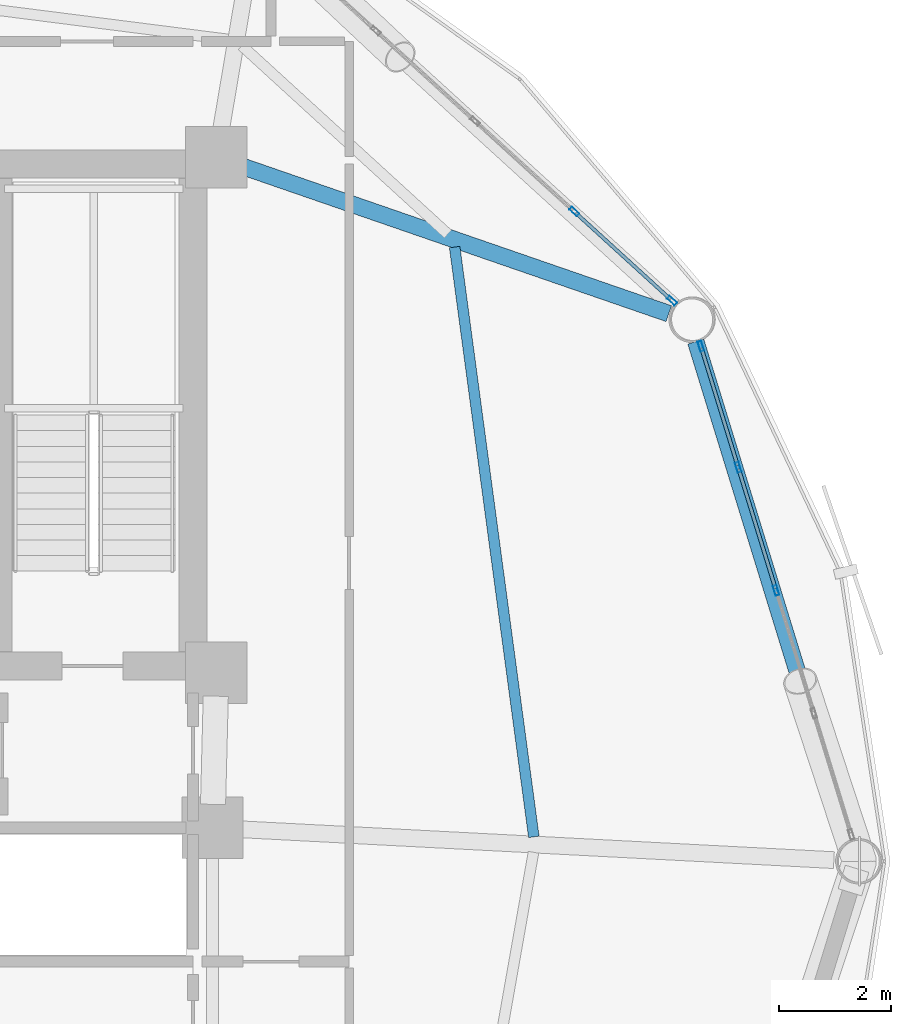
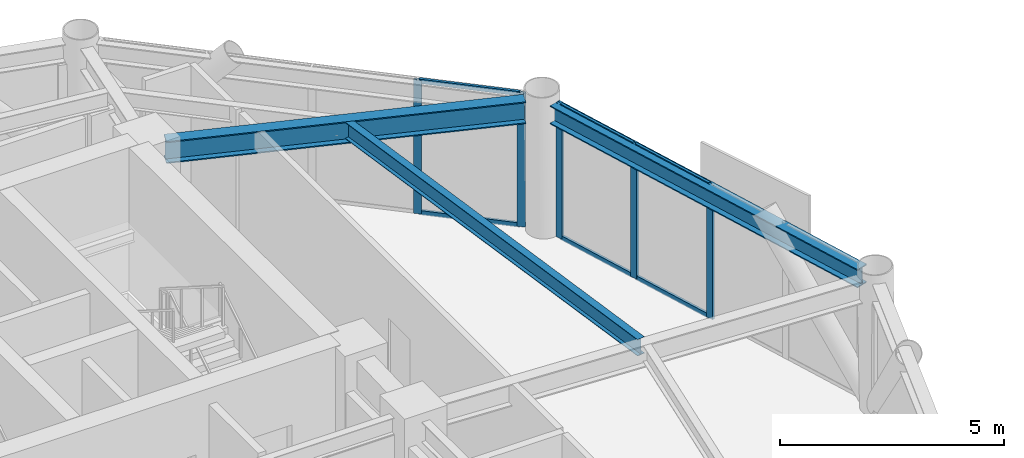
# One storey, part 14 of 24: 11 members, 3 beams, 2 elements without a shape of their own.
"""IFC4 building model written with IfcOpenShell, lengths in metres."""

from ifc_helpers import new_model, si_unit, direction, frame, origin, origin_2d, place, context, subcontext, project, spatial, hollow_rectangle, i_section, extrude, material, layer, layer_set, material_profile, profile_set, type_object, element, aggregate, save


model = new_model("IFC4")

# Units and contexts
model_context = context("Model", 3, precision=1e-05, world=origin(), true_north=direction((0.0, 1.0)))
body_context = subcontext(model_context, "Body", "Model", "MODEL_VIEW")
ifc_project = project(units=[si_unit("LENGTHUNIT", "METRE"), si_unit("AREAUNIT", "SQUARE_METRE"), si_unit("VOLUMEUNIT", "CUBIC_METRE"), si_unit("PLANEANGLEUNIT", "RADIAN"), si_unit("MASSUNIT", "GRAM", prefix="KILO")], contexts=[model_context])

# Site, building, storey
site_placement = place(None, origin())
site = spatial("IfcSite", under=ifc_project, at=site_placement, CompositionType="ELEMENT")
building_placement = place(site_placement, origin())
building = spatial("IfcBuilding", under=site, at=building_placement, Name="Varnakorn Sky Granary", CompositionType="ELEMENT")
storey_placement = place(building_placement, frame((0.0, 0.0, 111.0)))
storey = spatial("IfcBuildingStorey", under=building, at=storey_placement, Name="L27", CompositionType="ELEMENT", Elevation=111.0)

# Beams
ifc_material_1 = material(Name="Steel S355JR", Category="steel")
ifc_material_profile_1 = material_profile(ifc_material_1, i_section(OverallWidth=0.300048828125, OverallDepth=0.60009765625, WebThickness=0.015380859375, FlangeThickness=0.030029296875, at=origin_2d()), Name="HE 600 B")
ifc_profile_set_1 = profile_set([ifc_material_profile_1], Name="Steel S355JR")
beam_type_1 = type_object("IfcBeamType", Name="BM-RAD-Z2", PredefinedType="BEAM", material=ifc_profile_set_1)
beam_1_placement = place(storey_placement, frame((8.81689453125, 12.48291015625, 3.340087890625), z_axis=(0.945224107672, -0.326422098326, 0.0), x_axis=(0.326422098326, 0.945224107672, 0.0)))
element("IfcBeam", 1, at=beam_1_placement, inside=storey, type_object=beam_type_1, Name="Radial Floor Girder RG02 L27", PredefinedType="BEAM", context=body_context, shape_type="SweptSolid", body=[
    extrude(i_section(OverallWidth=0.300048828125, OverallDepth=0.60009765625, WebThickness=0.015380859375, FlangeThickness=0.030029296875, at=origin_2d()), origin(), (0.0, 0.0, 1.0), 8.161376953125),
])
ifc_material_profile_2 = material_profile(ifc_material_1, i_section(OverallWidth=0.18994140625, OverallDepth=0.449951171875, WebThickness=0.009521484375, FlangeThickness=0.0146484375, at=origin_2d()), Name="IPE 450")
ifc_profile_set_2 = profile_set([ifc_material_profile_2], Name="Steel S355JR")
beam_type_2 = type_object("IfcBeamType", Name="BM-SEC-Z2", PredefinedType="BEAM", material=ifc_profile_set_2)
beam_2_placement = place(storey_placement, frame((14.112060546875, 0.43798828125, 3.4150390625), z_axis=(-0.133042017356, 0.9911103983, 0.0), x_axis=(-0.9911103983, -0.133042017356, 0.0)))
element("IfcBeam", 2, at=beam_2_placement, inside=storey, type_object=beam_type_2, Name="Secondary Floor Chord Beam MSB01 L27", PredefinedType="BEAM", context=body_context, shape_type="SweptSolid", body=[
    extrude(i_section(OverallWidth=0.18994140625, OverallDepth=0.449951171875, WebThickness=0.009521484375, FlangeThickness=0.0146484375, at=origin_2d()), origin(), (0.0, 0.0, 1.0), 10.6689453125),
])
ifc_material_profile_3 = material_profile(ifc_material_1, i_section(OverallWidth=0.300048828125, OverallDepth=0.5, WebThickness=0.014404296875, FlangeThickness=0.028076171875, at=origin_2d()), Name="HE 500 B")
ifc_profile_set_3 = profile_set([ifc_material_profile_3], Name="Steel S355JR")
beam_type_3 = type_object("IfcBeamType", Name="BM-SPD-Z2", PredefinedType="SPANDREL", material=ifc_profile_set_3)
beam_3_placement = place(storey_placement, frame((19.767822265625, 0.374267578125, 3.389892578125), z_axis=(-0.294074847193, 0.955782393774, 0.0), x_axis=(-0.955782393774, -0.294074847193, 0.0)))
element("IfcBeam", 3, at=beam_3_placement, inside=storey, type_object=beam_type_3, Name="Perimeter Spandrel Ring Beam RB01 L27", PredefinedType="SPANDREL", context=body_context, shape_type="SweptSolid", body=[
    extrude(i_section(OverallWidth=0.300048828125, OverallDepth=0.5, WebThickness=0.014404296875, FlangeThickness=0.028076171875, at=origin_2d()), origin(), (0.0, 0.0, 1.0), 9.3564453125),
])

# Curtain wall, members
ifc_material_2 = material(Name="Anodised Bronze Aluminium Alloy 6063-T6", Category="aluminium")
ifc_layer = layer(ifc_material_2, 0.179931640625, Name="Anodised Bronze Aluminium Alloy 6063-T6")
ifc_layer_set = layer_set([ifc_layer], Name="Anodised Bronze Aluminium Alloy 6063-T6")
curtain_wall_type = type_object("IfcCurtainWallType", Name="CW-FRM-2", PredefinedType="USERDEFINED", material=ifc_layer_set)
curtain_wall_1_placement = place(storey_placement, origin())
curtain_wall_1 = element("IfcCurtainWall", 4, at=curtain_wall_1_placement, inside=storey, type_object=curtain_wall_type, Name="Unitised Curtain Wall CW4 CW-L27-B01", ObjectType="CURTAIN WALL", PredefinedType="USERDEFINED")
ifc_material_profile_4 = material_profile(ifc_material_2, hollow_rectangle(XDim=0.070068359375, YDim=0.18505859375, WallThickness=0.00390625, at=origin_2d()), Name="ALU MULL 70x185")
ifc_profile_set_4 = profile_set([ifc_material_profile_4], Name="Anodised Bronze Aluminium Alloy 6063-T6")
member_type_1 = type_object("IfcMemberType", Name="CW-FRM-2-MULL", PredefinedType="MULLION", material=ifc_profile_set_4)
member_1_placement = place(storey_placement, frame((17.10693359375, 9.2353515625, 0.0), z_axis=(0.0, 0.0, 1.0), x_axis=(0.955737543089, 0.294220578361, 0.0)))
member_1 = element("IfcMember", 5, at=member_1_placement, type_object=member_type_1, Name="CW4 mullion 1", PredefinedType="MULLION", context=body_context, shape_type="SweptSolid", body=[
    extrude(hollow_rectangle(XDim=0.070068359375, YDim=0.18505859375, WallThickness=0.00390625, at=origin_2d()), origin(), (0.0, 0.0, 1.0), 3.639892578125),
])
member_2_placement = place(storey_placement, frame((17.775634765625, 7.06298828125, 0.0), z_axis=(0.0, 0.0, 1.0), x_axis=(0.955737543089, 0.294220578361, 0.0)))
member_2 = element("IfcMember", 6, at=member_2_placement, type_object=member_type_1, Name="CW4 mullion 2", PredefinedType="MULLION", context=body_context, shape_type="SweptSolid", body=[
    extrude(hollow_rectangle(XDim=0.070068359375, YDim=0.18505859375, WallThickness=0.00390625, at=origin_2d()), origin(), (0.0, 0.0, 1.0), 3.639892578125),
])
member_3_placement = place(storey_placement, frame((18.45458984375, 4.857177734375, 0.0), z_axis=(0.0, 0.0, 1.0), x_axis=(0.955737543089, 0.294220578361, 0.0)))
member_3 = element("IfcMember", 7, at=member_3_placement, type_object=member_type_1, Name="CW4 mullion 3", PredefinedType="MULLION", context=body_context, shape_type="SweptSolid", body=[
    extrude(hollow_rectangle(XDim=0.070068359375, YDim=0.18505859375, WallThickness=0.00390625, at=origin_2d()), origin(), (0.0, 0.0, 1.0), 3.639892578125),
])

curtain_wall_2_placement = place(storey_placement, origin())
curtain_wall_2 = element("IfcCurtainWall", 8, at=curtain_wall_2_placement, inside=storey, type_object=curtain_wall_type, Name="Unitised Curtain Wall CW4 CW-L27-B02", ObjectType="CURTAIN WALL", PredefinedType="USERDEFINED")
member_4_placement = place(storey_placement, frame((14.83642578125, 11.6494140625, 0.0), z_axis=(0.0, 0.0, 1.0), x_axis=(0.673654386152, 0.739046526287, 0.0)))
member_4 = element("IfcMember", 9, at=member_4_placement, type_object=member_type_1, Name="CW4 mullion 4", PredefinedType="MULLION", context=body_context, shape_type="SweptSolid", body=[
    extrude(hollow_rectangle(XDim=0.070068359375, YDim=0.18505859375, WallThickness=0.00390625, at=origin_2d()), origin(), (0.0, 0.0, 1.0), 3.639892578125),
])
member_5_placement = place(storey_placement, frame((16.588623046875, 10.052490234375, 0.0), z_axis=(0.0, 0.0, 1.0), x_axis=(0.673654386152, 0.739046526287, 0.0)))
member_5 = element("IfcMember", 10, at=member_5_placement, type_object=member_type_1, Name="CW4 mullion 5", PredefinedType="MULLION", context=body_context, shape_type="SweptSolid", body=[
    extrude(hollow_rectangle(XDim=0.070068359375, YDim=0.18505859375, WallThickness=0.00390625, at=origin_2d()), origin(), (0.0, 0.0, 1.0), 3.639892578125),
])

# Member
ifc_material_profile_5 = material_profile(ifc_material_2, hollow_rectangle(XDim=0.06494140625, YDim=0.1201171875, WallThickness=0.00341796875, at=origin_2d()), Name="ALU TRAN 65x120")
ifc_profile_set_5 = profile_set([ifc_material_profile_5], Name="Anodised Bronze Aluminium Alloy 6063-T6")
member_type_2 = type_object("IfcMemberType", Name="CW-FRM-2-TRAN", PredefinedType="USERDEFINED", material=ifc_profile_set_5)
member_6_placement = place(storey_placement, frame((17.1171875, 9.201904296875, 0.032470703125), z_axis=(0.294233808363, -0.955733470177, 0.0), x_axis=(0.955733470177, 0.294233808363, 0.0)))
member_6 = element("IfcMember", 11, at=member_6_placement, type_object=member_type_2, Name="CW4 transom 1.1", ObjectType="TRANSOM", PredefinedType="USERDEFINED", context=body_context, shape_type="SweptSolid", body=[
    extrude(hollow_rectangle(XDim=0.06494140625, YDim=0.1201171875, WallThickness=0.00341796875, at=origin_2d()), origin(), (0.0, 0.0, 1.0), 2.202880859375),
])

member_7_placement = place(storey_placement, frame((17.1171875, 9.201904296875, 3.607421875), z_axis=(0.294233808363, -0.955733470177, 0.0), x_axis=(0.955733470177, 0.294233808363, 0.0)))
member_7 = element("IfcMember", 12, at=member_7_placement, type_object=member_type_2, Name="CW4 transom 1.2", ObjectType="TRANSOM", PredefinedType="USERDEFINED", context=body_context, shape_type="SweptSolid", body=[
    extrude(hollow_rectangle(XDim=0.06494140625, YDim=0.1201171875, WallThickness=0.00341796875, at=origin_2d()), origin(), (0.0, 0.0, 1.0), 2.202880859375),
])

member_8_placement = place(storey_placement, frame((17.785888671875, 7.029541015625, 0.032470703125), z_axis=(0.294216164621, -0.955738901832, 0.0), x_axis=(0.955738901832, 0.294216164621, 0.0)))
member_8 = element("IfcMember", 13, at=member_8_placement, type_object=member_type_2, Name="CW4 transom 2.1", ObjectType="TRANSOM", PredefinedType="USERDEFINED", context=body_context, shape_type="SweptSolid", body=[
    extrude(hollow_rectangle(XDim=0.06494140625, YDim=0.1201171875, WallThickness=0.00341796875, at=origin_2d()), origin(), (0.0, 0.0, 1.0), 2.238037109375),
])

member_9_placement = place(storey_placement, frame((17.785888671875, 7.029541015625, 3.607421875), z_axis=(0.294216164621, -0.955738901832, 0.0), x_axis=(0.955738901832, 0.294216164621, 0.0)))
member_9 = element("IfcMember", 14, at=member_9_placement, type_object=member_type_2, Name="CW4 transom 2.2", ObjectType="TRANSOM", PredefinedType="USERDEFINED", context=body_context, shape_type="SweptSolid", body=[
    extrude(hollow_rectangle(XDim=0.06494140625, YDim=0.1201171875, WallThickness=0.00341796875, at=origin_2d()), origin(), (0.0, 0.0, 1.0), 2.238037109375),
])

aggregate(curtain_wall_1, [member_1, member_2, member_3, member_6, member_7, member_8, member_9])

member_10_placement = place(storey_placement, frame((14.8623046875, 11.6259765625, 0.032470703125), z_axis=(0.739031973261, -0.673670351506, 0.0), x_axis=(0.673670351506, 0.739031973261, 0.0)))
member_10 = element("IfcMember", 15, at=member_10_placement, type_object=member_type_2, Name="CW4 transom 4.1", ObjectType="TRANSOM", PredefinedType="USERDEFINED", context=body_context, shape_type="SweptSolid", body=[
    extrude(hollow_rectangle(XDim=0.06494140625, YDim=0.1201171875, WallThickness=0.00341796875, at=origin_2d()), origin(), (0.0, 0.0, 1.0), 2.30078125),
])

member_11_placement = place(storey_placement, frame((14.8623046875, 11.6259765625, 3.607421875), z_axis=(0.739031973261, -0.673670351506, 0.0), x_axis=(0.673670351506, 0.739031973261, 0.0)))
member_11 = element("IfcMember", 16, at=member_11_placement, type_object=member_type_2, Name="CW4 transom 4.2", ObjectType="TRANSOM", PredefinedType="USERDEFINED", context=body_context, shape_type="SweptSolid", body=[
    extrude(hollow_rectangle(XDim=0.06494140625, YDim=0.1201171875, WallThickness=0.00341796875, at=origin_2d()), origin(), (0.0, 0.0, 1.0), 2.30078125),
])

aggregate(curtain_wall_2, [member_4, member_5, member_10, member_11])

save(model, "model.ifc")
